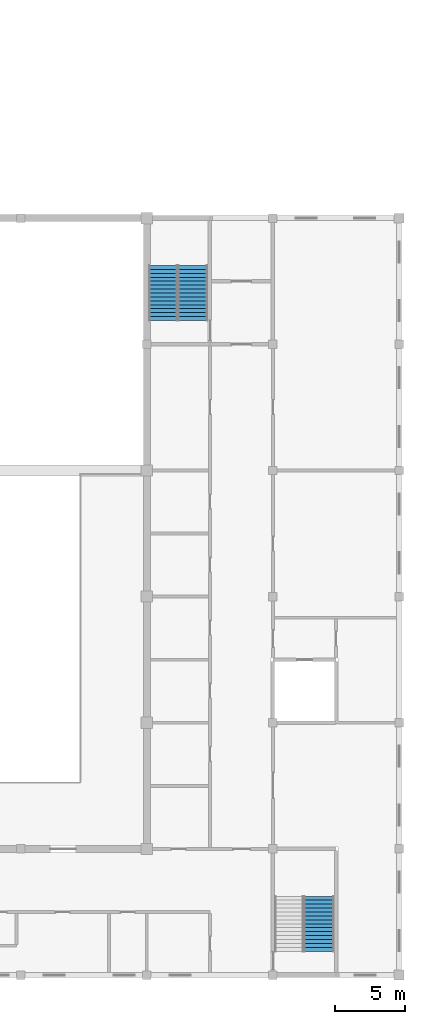
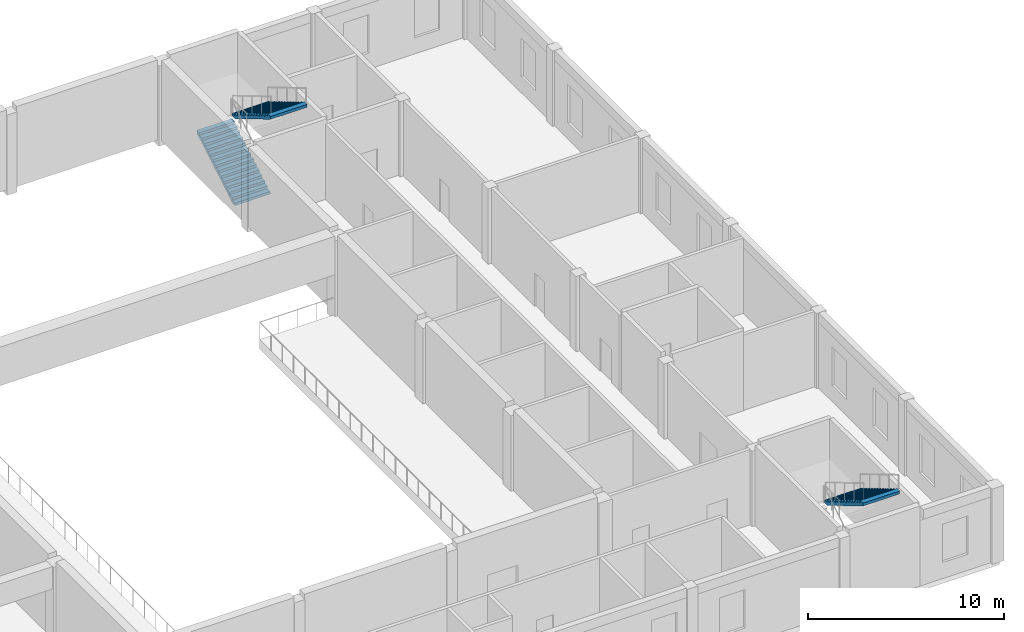
# One storey, part 28 of 34: 3 stair flights, 2 elements without a shape of their own.
"""IFC4 building model written with IfcOpenShell, lengths in metres."""

from ifc_helpers import new_model, si_unit, direction, frame, origin, place, context, subcontext, project, spatial, polyline, outline, extrude, material, layer, layer_set, type_object, element, aggregate, save


model = new_model("IFC4")

# Units and contexts
model_context = context("Model", 3, precision=1e-05, world=origin(), true_north=direction((0.0, 1.0)))
body_context = subcontext(model_context, "Body", "Model", "MODEL_VIEW")
ifc_project = project(units=[si_unit("LENGTHUNIT", "METRE"), si_unit("AREAUNIT", "SQUARE_METRE"), si_unit("VOLUMEUNIT", "CUBIC_METRE"), si_unit("PLANEANGLEUNIT", "RADIAN"), si_unit("MASSUNIT", "GRAM", prefix="KILO")], contexts=[model_context])

# Site, building, storey
site_placement = place(None, origin())
site = spatial("IfcSite", under=ifc_project, at=site_placement, CompositionType="ELEMENT")
building_placement = place(site_placement, origin())
building = spatial("IfcBuilding", under=site, at=building_placement, Name="Firuza Court", CompositionType="ELEMENT")
storey_placement = place(building_placement, frame((0.0, 0.0, 19.0)))
storey = spatial("IfcBuildingStorey", under=building, at=storey_placement, Name="L03", CompositionType="ELEMENT", Elevation=19.0)

# Stair, stair flight
ifc_material_1 = material(Name="Concrete C40/50", Category="concrete")
stair_type = type_object("IfcStairType", Name="HALL STAIR", PredefinedType="NOTDEFINED", material=ifc_material_1)
stair_1_placement = place(storey_placement, origin())
stair_1 = element("IfcStair", 1, at=stair_1_placement, inside=storey, type_object=stair_type, Name="Stair H2 L03", PredefinedType="NOTDEFINED")
ifc_material_2 = material(Name="Concrete C40/50", Category="concrete")
ifc_layer = layer(ifc_material_2, 0.14990234375)
ifc_layer_set = layer_set([ifc_layer], Name="Concrete C40/50")
stair_flight_type = type_object("IfcStairFlightType", Name="HALL STAIR FLIGHT", PredefinedType="STRAIGHT", material=ifc_layer_set)
stair_flight_1_placement = place(storey_placement, frame((147.28759765625, -3.3798828125, 2.5), z_axis=(0.0, 0.0, 1.0), x_axis=(0.0, -1.0, 0.0)))
stair_flight_1 = element("IfcStairFlight", 2, at=stair_flight_1_placement, type_object=stair_flight_type, Name="HS-2 flight 2", NumberOfRisers=15, NumberOfTreads=14, PredefinedType="STRAIGHT", RiserHeight=0.166666667, TreadLength=0.28, context=body_context, shape_type="SweptSolid", body=[
    extrude(outline(polyline([(0.0, 0.0), (0.0, 0.166748046875), (0.280029296875, 0.166748046875), (0.280029296875, 0.333251953125), (0.56005859375, 0.333251953125), (0.56005859375, 0.5), (0.840087890625, 0.5), (0.840087890625, 0.666748046875), (1.1201171875, 0.666748046875), (1.1201171875, 0.833251953125), (1.39990234375, 0.833251953125), (1.39990234375, 1.0), (1.679931640625, 1.0), (1.679931640625, 1.166748046875), (1.9599609375, 1.166748046875), (1.9599609375, 1.333251953125), (2.239990234375, 1.333251953125), (2.239990234375, 1.5), (2.52001953125, 1.5), (2.52001953125, 1.666748046875), (2.800048828125, 1.666748046875), (2.800048828125, 1.833251953125), (3.080078125, 1.833251953125), (3.080078125, 2.0), (3.360107421875, 2.0), (3.360107421875, 2.166748046875), (3.639892578125, 2.166748046875), (3.639892578125, 2.333251953125), (3.919921875, 2.333251953125), (3.919921875, 2.5), (3.919921875, 2.158935546875), (0.29296875, 0.0), (0.0, 0.0)])), frame((0.0, 1.08740234375, 0.0), z_axis=(0.0, -1.0, 0.0), x_axis=(1.0, 0.0, 0.0)), (0.0, 0.0, 1.0), 2.175048828125),
])
aggregate(stair_1, [stair_flight_1])

# Stair, stair flights
stair_2_placement = place(storey_placement, origin())
stair_2 = element("IfcStair", 3, at=stair_2_placement, inside=storey, type_object=stair_type, Name="Stair H4 L03", PredefinedType="NOTDEFINED")
stair_flight_2_placement = place(storey_placement, frame((136.16259765625, 37.699951171875, 0.0), z_axis=(0.0, 0.0, 1.0), x_axis=(0.0, 1.0, 0.0)))
stair_flight_2 = element("IfcStairFlight", 4, at=stair_flight_2_placement, type_object=stair_flight_type, Name="HS-4 flight 1", NumberOfRisers=15, NumberOfTreads=14, PredefinedType="STRAIGHT", RiserHeight=0.166666667, TreadLength=0.28, context=body_context, shape_type="SweptSolid", body=[
    extrude(outline(polyline([(0.0, 0.0), (0.0, 0.166748046875), (0.280029296875, 0.166748046875), (0.280029296875, 0.333251953125), (0.56005859375, 0.333251953125), (0.56005859375, 0.5), (0.840087890625, 0.5), (0.840087890625, 0.666748046875), (1.1201171875, 0.666748046875), (1.1201171875, 0.833251953125), (1.39990234375, 0.833251953125), (1.39990234375, 1.0), (1.679931640625, 1.0), (1.679931640625, 1.166748046875), (1.9599609375, 1.166748046875), (1.9599609375, 1.333251953125), (2.239990234375, 1.333251953125), (2.239990234375, 1.5), (2.52001953125, 1.5), (2.52001953125, 1.666748046875), (2.800048828125, 1.666748046875), (2.800048828125, 1.833251953125), (3.080078125, 1.833251953125), (3.080078125, 2.0), (3.360107421875, 2.0), (3.360107421875, 2.166748046875), (3.639892578125, 2.166748046875), (3.639892578125, 2.333251953125), (3.919921875, 2.333251953125), (3.919921875, 2.5), (3.919921875, 2.158935546875), (0.29296875, 0.0), (0.0, 0.0)])), frame((0.0, 1.03759765625, 0.0), z_axis=(0.0, -1.0, 0.0), x_axis=(1.0, 0.0, 0.0)), (0.0, 0.0, 1.0), 2.074951171875),
])
stair_flight_3_placement = place(storey_placement, frame((138.28759765625, 41.6201171875, 2.5), z_axis=(0.0, 0.0, 1.0), x_axis=(0.0, -1.0, 0.0)))
stair_flight_3 = element("IfcStairFlight", 5, at=stair_flight_3_placement, type_object=stair_flight_type, Name="HS-4 flight 2", NumberOfRisers=15, NumberOfTreads=14, PredefinedType="STRAIGHT", RiserHeight=0.166666667, TreadLength=0.28, context=body_context, shape_type="SweptSolid", body=[
    extrude(outline(polyline([(0.0, 0.0), (0.0, 0.166748046875), (0.280029296875, 0.166748046875), (0.280029296875, 0.333251953125), (0.56005859375, 0.333251953125), (0.56005859375, 0.5), (0.840087890625, 0.5), (0.840087890625, 0.666748046875), (1.1201171875, 0.666748046875), (1.1201171875, 0.833251953125), (1.39990234375, 0.833251953125), (1.39990234375, 1.0), (1.679931640625, 1.0), (1.679931640625, 1.166748046875), (1.9599609375, 1.166748046875), (1.9599609375, 1.333251953125), (2.239990234375, 1.333251953125), (2.239990234375, 1.5), (2.52001953125, 1.5), (2.52001953125, 1.666748046875), (2.800048828125, 1.666748046875), (2.800048828125, 1.833251953125), (3.080078125, 1.833251953125), (3.080078125, 2.0), (3.360107421875, 2.0), (3.360107421875, 2.166748046875), (3.639892578125, 2.166748046875), (3.639892578125, 2.333251953125), (3.919921875, 2.333251953125), (3.919921875, 2.5), (3.919921875, 2.158935546875), (0.29296875, 0.0), (0.0, 0.0)])), frame((0.0, 1.08740234375, 0.0), z_axis=(0.0, -1.0, 0.0), x_axis=(1.0, 0.0, 0.0)), (0.0, 0.0, 1.0), 2.175048828125),
])
aggregate(stair_2, [stair_flight_2, stair_flight_3])

save(model, "model.ifc")
